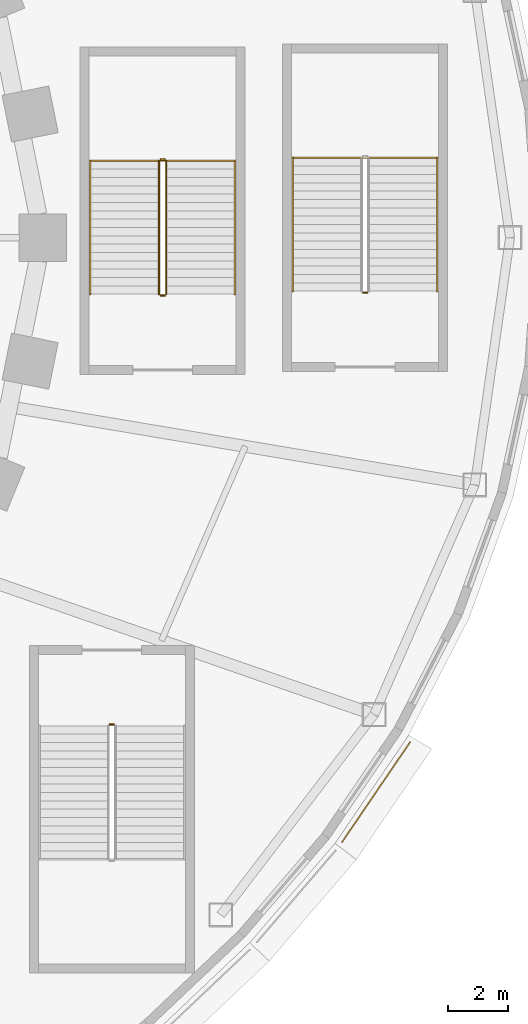
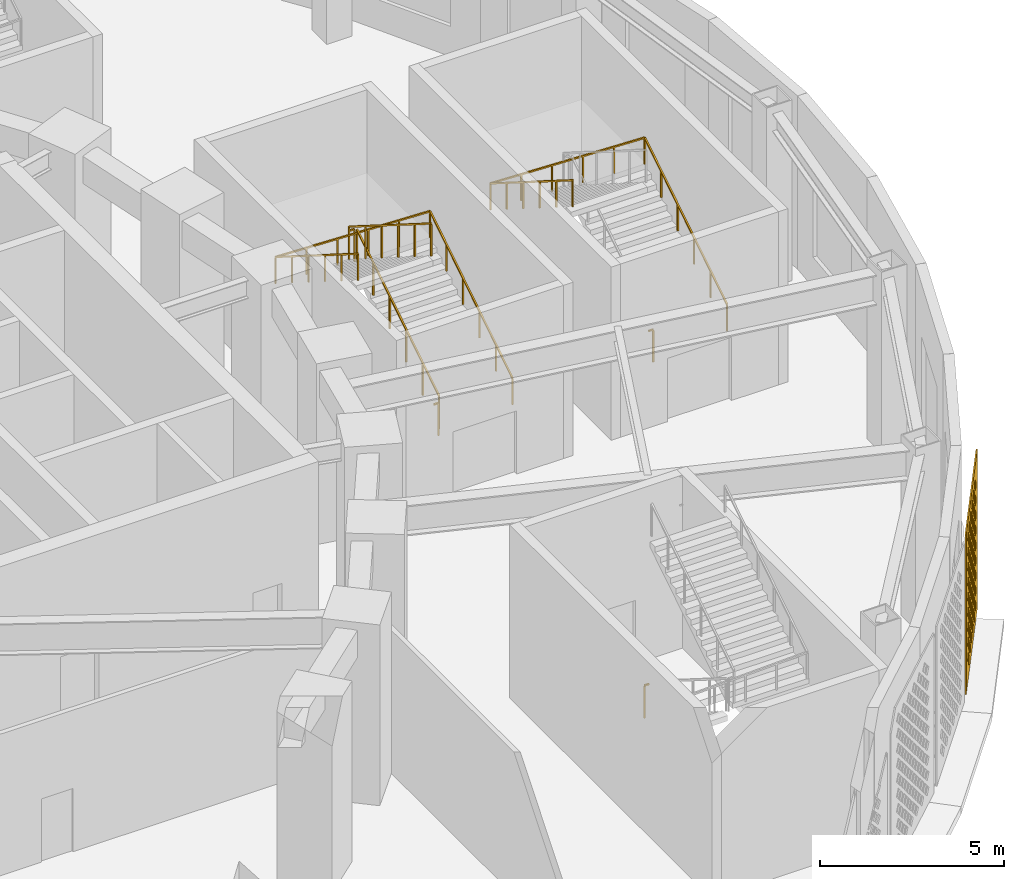
# One storey, part 72 of 74: 8 railings, 1 covering.
"""IFC4 building model written with IfcOpenShell, lengths in metres."""

from ifc_helpers import new_model, si_unit, direction, frame, origin, origin_2d, place, context, subcontext, project, spatial, polyline, rectangle, outline, extrude, material, layer, layer_set, type_object, element, save


model = new_model("IFC4")

# Units and contexts
model_context = context("Model", 3, precision=1e-05, world=origin(), true_north=direction((0.0, 1.0)))
body_context = subcontext(model_context, "Body", "Model", "MODEL_VIEW")
ifc_project = project(units=[si_unit("LENGTHUNIT", "METRE"), si_unit("AREAUNIT", "SQUARE_METRE"), si_unit("VOLUMEUNIT", "CUBIC_METRE"), si_unit("PLANEANGLEUNIT", "RADIAN"), si_unit("MASSUNIT", "GRAM", prefix="KILO")], contexts=[model_context])

# Site, building, storey
site_placement = place(None, origin())
site = spatial("IfcSite", under=ifc_project, at=site_placement, CompositionType="ELEMENT")
building_placement = place(site_placement, origin())
building = spatial("IfcBuilding", under=site, at=building_placement, Name="Noorbagh Ring Tower", CompositionType="ELEMENT")
storey_placement = place(building_placement, frame((0.0, 0.0, 13.5)))
storey = spatial("IfcBuildingStorey", under=building, at=storey_placement, Name="L02", CompositionType="ELEMENT", Elevation=13.5)

# Railings
ifc_material_1 = material(Name="Stainless steel", Category="steel")
railing_type_1 = type_object("IfcRailingType", Name="GND-STAIR-GUARD", PredefinedType="GUARDRAIL", material=ifc_material_1)
railing_1_placement = place(storey_placement, frame((39.10009765625, -1.89990234375, 0.176513671875)))
element("IfcRailing", 1, at=railing_1_placement, inside=storey, type_object=railing_type_1, Name="L02 ST-P2 stair guard", PredefinedType="GUARDRAIL", context=body_context, shape_type="SweptSolid", body=[
    extrude(rectangle(XDim=0.048095703125, YDim=0.048095703125, at=origin_2d()), frame((0.0, 0.0, 1.076171875), z_axis=(0.0, 0.845997938375, 0.533186166611), x_axis=(-1.0, 0.0, 0.0)), (0.0, 0.0, 1.0), 5.29541015625),
    extrude(rectangle(XDim=0.0419921875, YDim=0.0419921875, at=origin_2d()), origin(), (0.0, 0.0, 1.0), 1.052001953125),
    extrude(rectangle(XDim=0.0419921875, YDim=0.0419921875, at=origin_2d()), frame((0.0, 0.89599609375, 0.564697265625)), (0.0, 0.0, 1.0), 1.052001953125),
    extrude(rectangle(XDim=0.0419921875, YDim=0.0419921875, at=origin_2d()), frame((0.0, 1.7919921875, 1.12939453125)), (0.0, 0.0, 1.0), 1.052001953125),
    extrude(rectangle(XDim=0.0419921875, YDim=0.0419921875, at=origin_2d()), frame((0.0, 2.68798828125, 1.694091796875)), (0.0, 0.0, 1.0), 1.052001953125),
    extrude(rectangle(XDim=0.0419921875, YDim=0.0419921875, at=origin_2d()), frame((0.0, 3.583984375, 2.2587890625)), (0.0, 0.0, 1.0), 1.052001953125),
    extrude(rectangle(XDim=0.0419921875, YDim=0.0419921875, at=origin_2d()), frame((0.0, 4.47998046875, 2.823486328125)), (0.0, 0.0, 1.0), 1.052001953125),
])
railing_2_placement = place(storey_placement, frame((39.050048828125, 2.6298828125, 3.0)))
element("IfcRailing", 2, at=railing_2_placement, inside=storey, type_object=railing_type_1, Name="L02 ST-P2 stair guard", PredefinedType="GUARDRAIL", context=body_context, shape_type="SweptSolid", body=[
    extrude(rectangle(XDim=0.048095703125, YDim=0.048095703125, at=origin_2d()), frame((0.0, 0.0, 1.076171875), z_axis=(-1.0, 0.0, 0.0), x_axis=(0.0, -1.0, 0.0)), (0.0, 0.0, 1.0), 0.150146484375),
    extrude(rectangle(XDim=0.0419921875, YDim=0.0419921875, at=origin_2d()), origin(), (0.0, 0.0, 1.0), 1.052001953125),
])
railing_3_placement = place(storey_placement, frame((38.85009765625, 2.580078125, 3.176513671875)))
element("IfcRailing", 3, at=railing_3_placement, inside=storey, type_object=railing_type_1, Name="L02 ST-P2 stair guard", PredefinedType="GUARDRAIL", context=body_context, shape_type="SweptSolid", body=[
    extrude(rectangle(XDim=0.048095703125, YDim=0.048095703125, at=origin_2d()), frame((0.0, 0.0, 1.076171875), z_axis=(0.0, -0.845997938375, 0.533186166611), x_axis=(1.0, 0.0, 0.0)), (0.0, 0.0, 1.0), 5.29541015625),
    extrude(rectangle(XDim=0.0419921875, YDim=0.0419921875, at=origin_2d()), origin(), (0.0, 0.0, 1.0), 1.052001953125),
    extrude(rectangle(XDim=0.0419921875, YDim=0.0419921875, at=origin_2d()), frame((0.0, -0.89599609375, 0.564697265625)), (0.0, 0.0, 1.0), 1.052001953125),
    extrude(rectangle(XDim=0.0419921875, YDim=0.0419921875, at=origin_2d()), frame((0.0, -1.7919921875, 1.12939453125)), (0.0, 0.0, 1.0), 1.052001953125),
    extrude(rectangle(XDim=0.0419921875, YDim=0.0419921875, at=origin_2d()), frame((0.0, -2.68798828125, 1.694091796875)), (0.0, 0.0, 1.0), 1.052001953125),
    extrude(rectangle(XDim=0.0419921875, YDim=0.0419921875, at=origin_2d()), frame((0.0, -3.583984375, 2.2587890625)), (0.0, 0.0, 1.0), 1.052001953125),
    extrude(rectangle(XDim=0.0419921875, YDim=0.0419921875, at=origin_2d()), frame((0.0, -4.47998046875, 2.823486328125)), (0.0, 0.0, 1.0), 1.052001953125),
])
for number, where, name in (
    (4, (39.050048828125, -1.949951171875, 0.0), "L02 ST-P2 stair guard"),
    (5, (45.85009765625, -1.85009765625, 0.0), "L02 ST-P4 stair guard"),
):
    element("IfcRailing", number, at=place(storey_placement, frame(where)), inside=storey, type_object=railing_type_1, Name=name, PredefinedType="GUARDRAIL", context=body_context, shape_type="SweptSolid", body=[
        extrude(rectangle(XDim=0.048095703125, YDim=0.048095703125, at=origin_2d()), frame((0.0, 0.0, 1.076171875), z_axis=(-1.0, 0.0, 0.0), x_axis=(0.0, -1.0, 0.0)), (0.0, 0.0, 1.0), 0.150146484375),
        extrude(rectangle(XDim=0.0419921875, YDim=0.0419921875, at=origin_2d()), origin(), (0.0, 0.0, 1.0), 1.052001953125),
    ])
railing_4_placement = place(storey_placement, frame((37.199951171875, -16.35009765625, 0.0)))
element("IfcRailing", 6, at=railing_4_placement, inside=storey, type_object=railing_type_1, Name="L02 ST-P6 stair guard", PredefinedType="GUARDRAIL", context=body_context, shape_type="SweptSolid", body=[
    extrude(rectangle(XDim=0.048095703125, YDim=0.048095703125, at=origin_2d()), frame((0.0, 0.0, 1.076171875), z_axis=(1.0, 0.0, 0.0), x_axis=(0.0, 1.0, 0.0)), (0.0, 0.0, 1.0), 0.150146484375),
    extrude(rectangle(XDim=0.0419921875, YDim=0.0419921875, at=origin_2d()), origin(), (0.0, 0.0, 1.0), 1.052001953125),
])
ifc_material_2 = material(Name="Stainless steel", Category="steel")
railing_type_2 = type_object("IfcRailingType", Name="GND-STAIR-HANDRAIL", PredefinedType="HANDRAIL", material=ifc_material_2)
railing_5_placement = place(storey_placement, frame((41.39990234375, -1.89990234375, 0.176513671875)))
element("IfcRailing", 7, at=railing_5_placement, inside=storey, type_object=railing_type_2, Name="L02 ST-P2 stair handrail", PredefinedType="HANDRAIL", context=body_context, shape_type="SweptSolid", body=[
    extrude(rectangle(XDim=0.048095703125, YDim=0.048095703125, at=origin_2d()), frame((0.0, 0.0, 0.8759765625), z_axis=(0.0, 0.845997938375, 0.533186166611), x_axis=(-1.0, 0.0, 0.0)), (0.0, 0.0, 1.0), 5.29541015625),
    extrude(rectangle(XDim=0.048095703125, YDim=0.048095703125, at=origin_2d()), frame((0.0, 4.47998046875, 3.69921875), z_axis=(-0.999338334855, 0.0, 0.036371589031), x_axis=(0.0, -1.0, 0.0)), (0.0, 0.0, 1.0), 4.85302734375),
    extrude(rectangle(XDim=0.048095703125, YDim=0.048095703125, at=origin_2d()), frame((-4.849853515625, 4.47998046875, 3.8759765625), z_axis=(0.0, -0.845997938375, 0.533186166611), x_axis=(1.0, 0.0, 0.0)), (0.0, 0.0, 1.0), 5.29541015625),
    extrude(rectangle(XDim=0.0419921875, YDim=0.0419921875, at=origin_2d()), origin(), (0.0, 0.0, 1.0), 0.851806640625),
    extrude(rectangle(XDim=0.0419921875, YDim=0.0419921875, at=origin_2d()), frame((0.0, 0.89599609375, 0.564697265625)), (0.0, 0.0, 1.0), 0.851806640625),
    extrude(rectangle(XDim=0.0419921875, YDim=0.0419921875, at=origin_2d()), frame((0.0, 1.7919921875, 1.12939453125)), (0.0, 0.0, 1.0), 0.851806640625),
    extrude(rectangle(XDim=0.0419921875, YDim=0.0419921875, at=origin_2d()), frame((0.0, 2.68798828125, 1.694091796875)), (0.0, 0.0, 1.0), 0.851806640625),
    extrude(rectangle(XDim=0.0419921875, YDim=0.0419921875, at=origin_2d()), frame((0.0, 3.583984375, 2.2587890625)), (0.0, 0.0, 1.0), 0.851806640625),
    extrude(rectangle(XDim=0.0419921875, YDim=0.0419921875, at=origin_2d()), frame((0.0, 4.47998046875, 2.823486328125)), (0.0, 0.0, 1.0), 0.851806640625),
    extrude(rectangle(XDim=0.0419921875, YDim=0.0419921875, at=origin_2d()), frame((-0.969970703125, 4.47998046875, 2.85888671875)), (0.0, 0.0, 1.0), 0.851806640625),
    extrude(rectangle(XDim=0.0419921875, YDim=0.0419921875, at=origin_2d()), frame((-1.93994140625, 4.47998046875, 2.89404296875)), (0.0, 0.0, 1.0), 0.851806640625),
    extrude(rectangle(XDim=0.0419921875, YDim=0.0419921875, at=origin_2d()), frame((-2.909912109375, 4.47998046875, 2.929443359375)), (0.0, 0.0, 1.0), 0.851806640625),
    extrude(rectangle(XDim=0.0419921875, YDim=0.0419921875, at=origin_2d()), frame((-3.8798828125, 4.47998046875, 2.964599609375)), (0.0, 0.0, 1.0), 0.851806640625),
    extrude(rectangle(XDim=0.0419921875, YDim=0.0419921875, at=origin_2d()), frame((-4.849853515625, 4.47998046875, 3.0)), (0.0, 0.0, 1.0), 0.851806640625),
    extrude(rectangle(XDim=0.0419921875, YDim=0.0419921875, at=origin_2d()), frame((-4.849853515625, 3.583984375, 3.564697265625)), (0.0, 0.0, 1.0), 0.851806640625),
    extrude(rectangle(XDim=0.0419921875, YDim=0.0419921875, at=origin_2d()), frame((-4.849853515625, 2.68798828125, 4.12939453125)), (0.0, 0.0, 1.0), 0.851806640625),
    extrude(rectangle(XDim=0.0419921875, YDim=0.0419921875, at=origin_2d()), frame((-4.849853515625, 1.7919921875, 4.694091796875)), (0.0, 0.0, 1.0), 0.851806640625),
    extrude(rectangle(XDim=0.0419921875, YDim=0.0419921875, at=origin_2d()), frame((-4.849853515625, 0.89599609375, 5.2587890625)), (0.0, 0.0, 1.0), 0.851806640625),
    extrude(rectangle(XDim=0.0419921875, YDim=0.0419921875, at=origin_2d()), frame((-4.849853515625, 0.0, 5.823486328125)), (0.0, 0.0, 1.0), 0.851806640625),
])
railing_6_placement = place(storey_placement, frame((48.199951171875, -1.800048828125, 0.176513671875)))
element("IfcRailing", 8, at=railing_6_placement, inside=storey, type_object=railing_type_2, Name="L02 ST-P4 stair handrail", PredefinedType="HANDRAIL", context=body_context, shape_type="SweptSolid", body=[
    extrude(rectangle(XDim=0.048095703125, YDim=0.048095703125, at=origin_2d()), frame((0.0, 0.0, 0.8759765625), z_axis=(0.0, 0.845997938375, 0.533186166611), x_axis=(-1.0, 0.0, 0.0)), (0.0, 0.0, 1.0), 5.29541015625),
    extrude(rectangle(XDim=0.048095703125, YDim=0.048095703125, at=origin_2d()), frame((0.0, 4.47998046875, 3.69921875), z_axis=(-0.999338334855, 0.0, 0.036371589031), x_axis=(0.0, -1.0, 0.0)), (0.0, 0.0, 1.0), 4.85302734375),
    extrude(rectangle(XDim=0.048095703125, YDim=0.048095703125, at=origin_2d()), frame((-4.849853515625, 4.47998046875, 3.8759765625), z_axis=(0.0, -0.845997938375, 0.533186166611), x_axis=(1.0, 0.0, 0.0)), (0.0, 0.0, 1.0), 5.29541015625),
    extrude(rectangle(XDim=0.0419921875, YDim=0.0419921875, at=origin_2d()), origin(), (0.0, 0.0, 1.0), 0.851806640625),
    extrude(rectangle(XDim=0.0419921875, YDim=0.0419921875, at=origin_2d()), frame((0.0, 0.89599609375, 0.564697265625)), (0.0, 0.0, 1.0), 0.851806640625),
    extrude(rectangle(XDim=0.0419921875, YDim=0.0419921875, at=origin_2d()), frame((0.0, 1.7919921875, 1.12939453125)), (0.0, 0.0, 1.0), 0.851806640625),
    extrude(rectangle(XDim=0.0419921875, YDim=0.0419921875, at=origin_2d()), frame((0.0, 2.68798828125, 1.694091796875)), (0.0, 0.0, 1.0), 0.851806640625),
    extrude(rectangle(XDim=0.0419921875, YDim=0.0419921875, at=origin_2d()), frame((0.0, 3.583984375, 2.2587890625)), (0.0, 0.0, 1.0), 0.851806640625),
    extrude(rectangle(XDim=0.0419921875, YDim=0.0419921875, at=origin_2d()), frame((0.0, 4.47998046875, 2.823486328125)), (0.0, 0.0, 1.0), 0.851806640625),
    extrude(rectangle(XDim=0.0419921875, YDim=0.0419921875, at=origin_2d()), frame((-0.969970703125, 4.47998046875, 2.85888671875)), (0.0, 0.0, 1.0), 0.851806640625),
    extrude(rectangle(XDim=0.0419921875, YDim=0.0419921875, at=origin_2d()), frame((-1.93994140625, 4.47998046875, 2.89404296875)), (0.0, 0.0, 1.0), 0.851806640625),
    extrude(rectangle(XDim=0.0419921875, YDim=0.0419921875, at=origin_2d()), frame((-2.909912109375, 4.47998046875, 2.929443359375)), (0.0, 0.0, 1.0), 0.851806640625),
    extrude(rectangle(XDim=0.0419921875, YDim=0.0419921875, at=origin_2d()), frame((-3.8798828125, 4.47998046875, 2.964599609375)), (0.0, 0.0, 1.0), 0.851806640625),
    extrude(rectangle(XDim=0.0419921875, YDim=0.0419921875, at=origin_2d()), frame((-4.849853515625, 4.47998046875, 3.0)), (0.0, 0.0, 1.0), 0.851806640625),
    extrude(rectangle(XDim=0.0419921875, YDim=0.0419921875, at=origin_2d()), frame((-4.849853515625, 3.583984375, 3.564697265625)), (0.0, 0.0, 1.0), 0.851806640625),
    extrude(rectangle(XDim=0.0419921875, YDim=0.0419921875, at=origin_2d()), frame((-4.849853515625, 2.68798828125, 4.12939453125)), (0.0, 0.0, 1.0), 0.851806640625),
    extrude(rectangle(XDim=0.0419921875, YDim=0.0419921875, at=origin_2d()), frame((-4.849853515625, 1.7919921875, 4.694091796875)), (0.0, 0.0, 1.0), 0.851806640625),
    extrude(rectangle(XDim=0.0419921875, YDim=0.0419921875, at=origin_2d()), frame((-4.849853515625, 0.89599609375, 5.2587890625)), (0.0, 0.0, 1.0), 0.851806640625),
    extrude(rectangle(XDim=0.0419921875, YDim=0.0419921875, at=origin_2d()), frame((-4.849853515625, 0.0, 5.823486328125)), (0.0, 0.0, 1.0), 0.851806640625),
])

# Covering
ifc_material_3 = material(Name="Red sandstone jali", Category="masonry")
ifc_layer = layer(ifc_material_3, 0.0400390625)
ifc_layer_set = layer_set([ifc_layer], Name="Red sandstone jali")
covering_type = type_object("IfcCoveringType", Name="STY-JALI", PredefinedType="USERDEFINED", material=ifc_layer_set)
covering_placement = place(storey_placement, frame((45.01123046875, -20.329833984375, 0.449951171875), z_axis=(0.826637007867, -0.562735512675, 0.0), x_axis=(0.562735512675, 0.826637007867, 0.0)))
element("IfcCovering", 9, at=covering_placement, inside=storey, type_object=covering_type, Name="Jali screen", ObjectType="SCREEN", PredefinedType="USERDEFINED", context=body_context, shape_type="SweptSolid", body=[
    extrude(outline(polyline([(0.0, 0.0), (4.095458984375, 0.0), (4.095458984375, 5.300048828125), (0.0, 5.300048828125), (0.0, 0.0)]), holes=[polyline([(0.74267578125, 0.52490234375), (0.922607421875, 0.344970703125), (1.102783203125, 0.52490234375), (0.922607421875, 0.705078125), (0.74267578125, 0.52490234375)]), polyline([(1.24267578125, 0.52490234375), (1.422607421875, 0.344970703125), (1.602783203125, 0.52490234375), (1.422607421875, 0.705078125), (1.24267578125, 0.52490234375)]), polyline([(1.74267578125, 0.52490234375), (1.922607421875, 0.344970703125), (2.102783203125, 0.52490234375), (1.922607421875, 0.705078125), (1.74267578125, 0.52490234375)]), polyline([(2.24267578125, 0.52490234375), (2.422607421875, 0.344970703125), (2.602783203125, 0.52490234375), (2.422607421875, 0.705078125), (2.24267578125, 0.52490234375)]), polyline([(2.74267578125, 0.52490234375), (2.922607421875, 0.344970703125), (3.102783203125, 0.52490234375), (2.922607421875, 0.705078125), (2.74267578125, 0.52490234375)]), polyline([(3.24267578125, 0.52490234375), (3.422607421875, 0.344970703125), (3.602783203125, 0.52490234375), (3.422607421875, 0.705078125), (3.24267578125, 0.52490234375)]), polyline([(0.49267578125, 0.77490234375), (0.672607421875, 0.594970703125), (0.852783203125, 0.77490234375), (0.672607421875, 0.955078125), (0.49267578125, 0.77490234375)]), polyline([(0.99267578125, 0.77490234375), (1.172607421875, 0.594970703125), (1.352783203125, 0.77490234375), (1.172607421875, 0.955078125), (0.99267578125, 0.77490234375)]), polyline([(1.49267578125, 0.77490234375), (1.672607421875, 0.594970703125), (1.852783203125, 0.77490234375), (1.672607421875, 0.955078125), (1.49267578125, 0.77490234375)]), polyline([(1.99267578125, 0.77490234375), (2.172607421875, 0.594970703125), (2.352783203125, 0.77490234375), (2.172607421875, 0.955078125), (1.99267578125, 0.77490234375)]), polyline([(2.49267578125, 0.77490234375), (2.672607421875, 0.594970703125), (2.852783203125, 0.77490234375), (2.672607421875, 0.955078125), (2.49267578125, 0.77490234375)]), polyline([(2.99267578125, 0.77490234375), (3.172607421875, 0.594970703125), (3.352783203125, 0.77490234375), (3.172607421875, 0.955078125), (2.99267578125, 0.77490234375)]), polyline([(0.74267578125, 1.02490234375), (0.922607421875, 0.844970703125), (1.102783203125, 1.02490234375), (0.922607421875, 1.205078125), (0.74267578125, 1.02490234375)]), polyline([(1.24267578125, 1.02490234375), (1.422607421875, 0.844970703125), (1.602783203125, 1.02490234375), (1.422607421875, 1.205078125), (1.24267578125, 1.02490234375)]), polyline([(1.74267578125, 1.02490234375), (1.922607421875, 0.844970703125), (2.102783203125, 1.02490234375), (1.922607421875, 1.205078125), (1.74267578125, 1.02490234375)]), polyline([(2.24267578125, 1.02490234375), (2.422607421875, 0.844970703125), (2.602783203125, 1.02490234375), (2.422607421875, 1.205078125), (2.24267578125, 1.02490234375)]), polyline([(2.74267578125, 1.02490234375), (2.922607421875, 0.844970703125), (3.102783203125, 1.02490234375), (2.922607421875, 1.205078125), (2.74267578125, 1.02490234375)]), polyline([(3.24267578125, 1.02490234375), (3.422607421875, 0.844970703125), (3.602783203125, 1.02490234375), (3.422607421875, 1.205078125), (3.24267578125, 1.02490234375)]), polyline([(0.49267578125, 1.27490234375), (0.672607421875, 1.094970703125), (0.852783203125, 1.27490234375), (0.672607421875, 1.455078125), (0.49267578125, 1.27490234375)]), polyline([(0.99267578125, 1.27490234375), (1.172607421875, 1.094970703125), (1.352783203125, 1.27490234375), (1.172607421875, 1.455078125), (0.99267578125, 1.27490234375)]), polyline([(1.49267578125, 1.27490234375), (1.672607421875, 1.094970703125), (1.852783203125, 1.27490234375), (1.672607421875, 1.455078125), (1.49267578125, 1.27490234375)]), polyline([(1.99267578125, 1.27490234375), (2.172607421875, 1.094970703125), (2.352783203125, 1.27490234375), (2.172607421875, 1.455078125), (1.99267578125, 1.27490234375)]), polyline([(2.49267578125, 1.27490234375), (2.672607421875, 1.094970703125), (2.852783203125, 1.27490234375), (2.672607421875, 1.455078125), (2.49267578125, 1.27490234375)]), polyline([(2.99267578125, 1.27490234375), (3.172607421875, 1.094970703125), (3.352783203125, 1.27490234375), (3.172607421875, 1.455078125), (2.99267578125, 1.27490234375)]), polyline([(0.74267578125, 1.52490234375), (0.922607421875, 1.344970703125), (1.102783203125, 1.52490234375), (0.922607421875, 1.705078125), (0.74267578125, 1.52490234375)]), polyline([(1.24267578125, 1.52490234375), (1.422607421875, 1.344970703125), (1.602783203125, 1.52490234375), (1.422607421875, 1.705078125), (1.24267578125, 1.52490234375)]), polyline([(1.74267578125, 1.52490234375), (1.922607421875, 1.344970703125), (2.102783203125, 1.52490234375), (1.922607421875, 1.705078125), (1.74267578125, 1.52490234375)]), polyline([(2.24267578125, 1.52490234375), (2.422607421875, 1.344970703125), (2.602783203125, 1.52490234375), (2.422607421875, 1.705078125), (2.24267578125, 1.52490234375)]), polyline([(2.74267578125, 1.52490234375), (2.922607421875, 1.344970703125), (3.102783203125, 1.52490234375), (2.922607421875, 1.705078125), (2.74267578125, 1.52490234375)]), polyline([(3.24267578125, 1.52490234375), (3.422607421875, 1.344970703125), (3.602783203125, 1.52490234375), (3.422607421875, 1.705078125), (3.24267578125, 1.52490234375)]), polyline([(0.49267578125, 1.77490234375), (0.672607421875, 1.594970703125), (0.852783203125, 1.77490234375), (0.672607421875, 1.955078125), (0.49267578125, 1.77490234375)]), polyline([(0.99267578125, 1.77490234375), (1.172607421875, 1.594970703125), (1.352783203125, 1.77490234375), (1.172607421875, 1.955078125), (0.99267578125, 1.77490234375)]), polyline([(1.49267578125, 1.77490234375), (1.672607421875, 1.594970703125), (1.852783203125, 1.77490234375), (1.672607421875, 1.955078125), (1.49267578125, 1.77490234375)]), polyline([(1.99267578125, 1.77490234375), (2.172607421875, 1.594970703125), (2.352783203125, 1.77490234375), (2.172607421875, 1.955078125), (1.99267578125, 1.77490234375)]), polyline([(2.49267578125, 1.77490234375), (2.672607421875, 1.594970703125), (2.852783203125, 1.77490234375), (2.672607421875, 1.955078125), (2.49267578125, 1.77490234375)]), polyline([(2.99267578125, 1.77490234375), (3.172607421875, 1.594970703125), (3.352783203125, 1.77490234375), (3.172607421875, 1.955078125), (2.99267578125, 1.77490234375)]), polyline([(0.74267578125, 2.02490234375), (0.922607421875, 1.844970703125), (1.102783203125, 2.02490234375), (0.922607421875, 2.205078125), (0.74267578125, 2.02490234375)]), polyline([(1.24267578125, 2.02490234375), (1.422607421875, 1.844970703125), (1.602783203125, 2.02490234375), (1.422607421875, 2.205078125), (1.24267578125, 2.02490234375)]), polyline([(1.74267578125, 2.02490234375), (1.922607421875, 1.844970703125), (2.102783203125, 2.02490234375), (1.922607421875, 2.205078125), (1.74267578125, 2.02490234375)]), polyline([(2.24267578125, 2.02490234375), (2.422607421875, 1.844970703125), (2.602783203125, 2.02490234375), (2.422607421875, 2.205078125), (2.24267578125, 2.02490234375)]), polyline([(2.74267578125, 2.02490234375), (2.922607421875, 1.844970703125), (3.102783203125, 2.02490234375), (2.922607421875, 2.205078125), (2.74267578125, 2.02490234375)]), polyline([(3.24267578125, 2.02490234375), (3.422607421875, 1.844970703125), (3.602783203125, 2.02490234375), (3.422607421875, 2.205078125), (3.24267578125, 2.02490234375)]), polyline([(0.49267578125, 2.27490234375), (0.672607421875, 2.094970703125), (0.852783203125, 2.27490234375), (0.672607421875, 2.455078125), (0.49267578125, 2.27490234375)]), polyline([(0.99267578125, 2.27490234375), (1.172607421875, 2.094970703125), (1.352783203125, 2.27490234375), (1.172607421875, 2.455078125), (0.99267578125, 2.27490234375)]), polyline([(1.49267578125, 2.27490234375), (1.672607421875, 2.094970703125), (1.852783203125, 2.27490234375), (1.672607421875, 2.455078125), (1.49267578125, 2.27490234375)]), polyline([(1.99267578125, 2.27490234375), (2.172607421875, 2.094970703125), (2.352783203125, 2.27490234375), (2.172607421875, 2.455078125), (1.99267578125, 2.27490234375)]), polyline([(2.49267578125, 2.27490234375), (2.672607421875, 2.094970703125), (2.852783203125, 2.27490234375), (2.672607421875, 2.455078125), (2.49267578125, 2.27490234375)]), polyline([(2.99267578125, 2.27490234375), (3.172607421875, 2.094970703125), (3.352783203125, 2.27490234375), (3.172607421875, 2.455078125), (2.99267578125, 2.27490234375)]), polyline([(0.74267578125, 2.52490234375), (0.922607421875, 2.344970703125), (1.102783203125, 2.52490234375), (0.922607421875, 2.705078125), (0.74267578125, 2.52490234375)]), polyline([(1.24267578125, 2.52490234375), (1.422607421875, 2.344970703125), (1.602783203125, 2.52490234375), (1.422607421875, 2.705078125), (1.24267578125, 2.52490234375)]), polyline([(1.74267578125, 2.52490234375), (1.922607421875, 2.344970703125), (2.102783203125, 2.52490234375), (1.922607421875, 2.705078125), (1.74267578125, 2.52490234375)]), polyline([(2.24267578125, 2.52490234375), (2.422607421875, 2.344970703125), (2.602783203125, 2.52490234375), (2.422607421875, 2.705078125), (2.24267578125, 2.52490234375)]), polyline([(2.74267578125, 2.52490234375), (2.922607421875, 2.344970703125), (3.102783203125, 2.52490234375), (2.922607421875, 2.705078125), (2.74267578125, 2.52490234375)]), polyline([(3.24267578125, 2.52490234375), (3.422607421875, 2.344970703125), (3.602783203125, 2.52490234375), (3.422607421875, 2.705078125), (3.24267578125, 2.52490234375)]), polyline([(0.49267578125, 2.77490234375), (0.672607421875, 2.594970703125), (0.852783203125, 2.77490234375), (0.672607421875, 2.955078125), (0.49267578125, 2.77490234375)]), polyline([(0.99267578125, 2.77490234375), (1.172607421875, 2.594970703125), (1.352783203125, 2.77490234375), (1.172607421875, 2.955078125), (0.99267578125, 2.77490234375)]), polyline([(1.49267578125, 2.77490234375), (1.672607421875, 2.594970703125), (1.852783203125, 2.77490234375), (1.672607421875, 2.955078125), (1.49267578125, 2.77490234375)]), polyline([(1.99267578125, 2.77490234375), (2.172607421875, 2.594970703125), (2.352783203125, 2.77490234375), (2.172607421875, 2.955078125), (1.99267578125, 2.77490234375)]), polyline([(2.49267578125, 2.77490234375), (2.672607421875, 2.594970703125), (2.852783203125, 2.77490234375), (2.672607421875, 2.955078125), (2.49267578125, 2.77490234375)]), polyline([(2.99267578125, 2.77490234375), (3.172607421875, 2.594970703125), (3.352783203125, 2.77490234375), (3.172607421875, 2.955078125), (2.99267578125, 2.77490234375)]), polyline([(0.74267578125, 3.02490234375), (0.922607421875, 2.844970703125), (1.102783203125, 3.02490234375), (0.922607421875, 3.205078125), (0.74267578125, 3.02490234375)]), polyline([(1.24267578125, 3.02490234375), (1.422607421875, 2.844970703125), (1.602783203125, 3.02490234375), (1.422607421875, 3.205078125), (1.24267578125, 3.02490234375)]), polyline([(1.74267578125, 3.02490234375), (1.922607421875, 2.844970703125), (2.102783203125, 3.02490234375), (1.922607421875, 3.205078125), (1.74267578125, 3.02490234375)]), polyline([(2.24267578125, 3.02490234375), (2.422607421875, 2.844970703125), (2.602783203125, 3.02490234375), (2.422607421875, 3.205078125), (2.24267578125, 3.02490234375)]), polyline([(2.74267578125, 3.02490234375), (2.922607421875, 2.844970703125), (3.102783203125, 3.02490234375), (2.922607421875, 3.205078125), (2.74267578125, 3.02490234375)]), polyline([(3.24267578125, 3.02490234375), (3.422607421875, 2.844970703125), (3.602783203125, 3.02490234375), (3.422607421875, 3.205078125), (3.24267578125, 3.02490234375)]), polyline([(0.49267578125, 3.27490234375), (0.672607421875, 3.094970703125), (0.852783203125, 3.27490234375), (0.672607421875, 3.455078125), (0.49267578125, 3.27490234375)]), polyline([(0.99267578125, 3.27490234375), (1.172607421875, 3.094970703125), (1.352783203125, 3.27490234375), (1.172607421875, 3.455078125), (0.99267578125, 3.27490234375)]), polyline([(1.49267578125, 3.27490234375), (1.672607421875, 3.094970703125), (1.852783203125, 3.27490234375), (1.672607421875, 3.455078125), (1.49267578125, 3.27490234375)]), polyline([(1.99267578125, 3.27490234375), (2.172607421875, 3.094970703125), (2.352783203125, 3.27490234375), (2.172607421875, 3.455078125), (1.99267578125, 3.27490234375)]), polyline([(2.49267578125, 3.27490234375), (2.672607421875, 3.094970703125), (2.852783203125, 3.27490234375), (2.672607421875, 3.455078125), (2.49267578125, 3.27490234375)]), polyline([(2.99267578125, 3.27490234375), (3.172607421875, 3.094970703125), (3.352783203125, 3.27490234375), (3.172607421875, 3.455078125), (2.99267578125, 3.27490234375)]), polyline([(0.74267578125, 3.52490234375), (0.922607421875, 3.344970703125), (1.102783203125, 3.52490234375), (0.922607421875, 3.705078125), (0.74267578125, 3.52490234375)]), polyline([(1.24267578125, 3.52490234375), (1.422607421875, 3.344970703125), (1.602783203125, 3.52490234375), (1.422607421875, 3.705078125), (1.24267578125, 3.52490234375)]), polyline([(1.74267578125, 3.52490234375), (1.922607421875, 3.344970703125), (2.102783203125, 3.52490234375), (1.922607421875, 3.705078125), (1.74267578125, 3.52490234375)]), polyline([(2.24267578125, 3.52490234375), (2.422607421875, 3.344970703125), (2.602783203125, 3.52490234375), (2.422607421875, 3.705078125), (2.24267578125, 3.52490234375)]), polyline([(2.74267578125, 3.52490234375), (2.922607421875, 3.344970703125), (3.102783203125, 3.52490234375), (2.922607421875, 3.705078125), (2.74267578125, 3.52490234375)]), polyline([(3.24267578125, 3.52490234375), (3.422607421875, 3.344970703125), (3.602783203125, 3.52490234375), (3.422607421875, 3.705078125), (3.24267578125, 3.52490234375)]), polyline([(0.49267578125, 3.77490234375), (0.672607421875, 3.594970703125), (0.852783203125, 3.77490234375), (0.672607421875, 3.955078125), (0.49267578125, 3.77490234375)]), polyline([(0.99267578125, 3.77490234375), (1.172607421875, 3.594970703125), (1.352783203125, 3.77490234375), (1.172607421875, 3.955078125), (0.99267578125, 3.77490234375)]), polyline([(1.49267578125, 3.77490234375), (1.672607421875, 3.594970703125), (1.852783203125, 3.77490234375), (1.672607421875, 3.955078125), (1.49267578125, 3.77490234375)]), polyline([(1.99267578125, 3.77490234375), (2.172607421875, 3.594970703125), (2.352783203125, 3.77490234375), (2.172607421875, 3.955078125), (1.99267578125, 3.77490234375)]), polyline([(2.49267578125, 3.77490234375), (2.672607421875, 3.594970703125), (2.852783203125, 3.77490234375), (2.672607421875, 3.955078125), (2.49267578125, 3.77490234375)]), polyline([(2.99267578125, 3.77490234375), (3.172607421875, 3.594970703125), (3.352783203125, 3.77490234375), (3.172607421875, 3.955078125), (2.99267578125, 3.77490234375)]), polyline([(0.74267578125, 4.02490234375), (0.922607421875, 3.844970703125), (1.102783203125, 4.02490234375), (0.922607421875, 4.205078125), (0.74267578125, 4.02490234375)]), polyline([(1.24267578125, 4.02490234375), (1.422607421875, 3.844970703125), (1.602783203125, 4.02490234375), (1.422607421875, 4.205078125), (1.24267578125, 4.02490234375)]), polyline([(1.74267578125, 4.02490234375), (1.922607421875, 3.844970703125), (2.102783203125, 4.02490234375), (1.922607421875, 4.205078125), (1.74267578125, 4.02490234375)]), polyline([(2.24267578125, 4.02490234375), (2.422607421875, 3.844970703125), (2.602783203125, 4.02490234375), (2.422607421875, 4.205078125), (2.24267578125, 4.02490234375)]), polyline([(2.74267578125, 4.02490234375), (2.922607421875, 3.844970703125), (3.102783203125, 4.02490234375), (2.922607421875, 4.205078125), (2.74267578125, 4.02490234375)]), polyline([(3.24267578125, 4.02490234375), (3.422607421875, 3.844970703125), (3.602783203125, 4.02490234375), (3.422607421875, 4.205078125), (3.24267578125, 4.02490234375)]), polyline([(0.49267578125, 4.27490234375), (0.672607421875, 4.094970703125), (0.852783203125, 4.27490234375), (0.672607421875, 4.455078125), (0.49267578125, 4.27490234375)]), polyline([(0.99267578125, 4.27490234375), (1.172607421875, 4.094970703125), (1.352783203125, 4.27490234375), (1.172607421875, 4.455078125), (0.99267578125, 4.27490234375)]), polyline([(1.49267578125, 4.27490234375), (1.672607421875, 4.094970703125), (1.852783203125, 4.27490234375), (1.672607421875, 4.455078125), (1.49267578125, 4.27490234375)]), polyline([(1.99267578125, 4.27490234375), (2.172607421875, 4.094970703125), (2.352783203125, 4.27490234375), (2.172607421875, 4.455078125), (1.99267578125, 4.27490234375)]), polyline([(2.49267578125, 4.27490234375), (2.672607421875, 4.094970703125), (2.852783203125, 4.27490234375), (2.672607421875, 4.455078125), (2.49267578125, 4.27490234375)]), polyline([(2.99267578125, 4.27490234375), (3.172607421875, 4.094970703125), (3.352783203125, 4.27490234375), (3.172607421875, 4.455078125), (2.99267578125, 4.27490234375)]), polyline([(0.74267578125, 4.52490234375), (0.922607421875, 4.344970703125), (1.102783203125, 4.52490234375), (0.922607421875, 4.705078125), (0.74267578125, 4.52490234375)]), polyline([(1.24267578125, 4.52490234375), (1.422607421875, 4.344970703125), (1.602783203125, 4.52490234375), (1.422607421875, 4.705078125), (1.24267578125, 4.52490234375)]), polyline([(1.74267578125, 4.52490234375), (1.922607421875, 4.344970703125), (2.102783203125, 4.52490234375), (1.922607421875, 4.705078125), (1.74267578125, 4.52490234375)]), polyline([(2.24267578125, 4.52490234375), (2.422607421875, 4.344970703125), (2.602783203125, 4.52490234375), (2.422607421875, 4.705078125), (2.24267578125, 4.52490234375)]), polyline([(2.74267578125, 4.52490234375), (2.922607421875, 4.344970703125), (3.102783203125, 4.52490234375), (2.922607421875, 4.705078125), (2.74267578125, 4.52490234375)]), polyline([(3.24267578125, 4.52490234375), (3.422607421875, 4.344970703125), (3.602783203125, 4.52490234375), (3.422607421875, 4.705078125), (3.24267578125, 4.52490234375)]), polyline([(0.49267578125, 4.77490234375), (0.672607421875, 4.594970703125), (0.852783203125, 4.77490234375), (0.672607421875, 4.955078125), (0.49267578125, 4.77490234375)]), polyline([(0.99267578125, 4.77490234375), (1.172607421875, 4.594970703125), (1.352783203125, 4.77490234375), (1.172607421875, 4.955078125), (0.99267578125, 4.77490234375)]), polyline([(1.49267578125, 4.77490234375), (1.672607421875, 4.594970703125), (1.852783203125, 4.77490234375), (1.672607421875, 4.955078125), (1.49267578125, 4.77490234375)]), polyline([(1.99267578125, 4.77490234375), (2.172607421875, 4.594970703125), (2.352783203125, 4.77490234375), (2.172607421875, 4.955078125), (1.99267578125, 4.77490234375)]), polyline([(2.49267578125, 4.77490234375), (2.672607421875, 4.594970703125), (2.852783203125, 4.77490234375), (2.672607421875, 4.955078125), (2.49267578125, 4.77490234375)]), polyline([(2.99267578125, 4.77490234375), (3.172607421875, 4.594970703125), (3.352783203125, 4.77490234375), (3.172607421875, 4.955078125), (2.99267578125, 4.77490234375)])]), origin(), (0.0, 0.0, -1.0), 0.0400390625),
])

save(model, "model.ifc")
